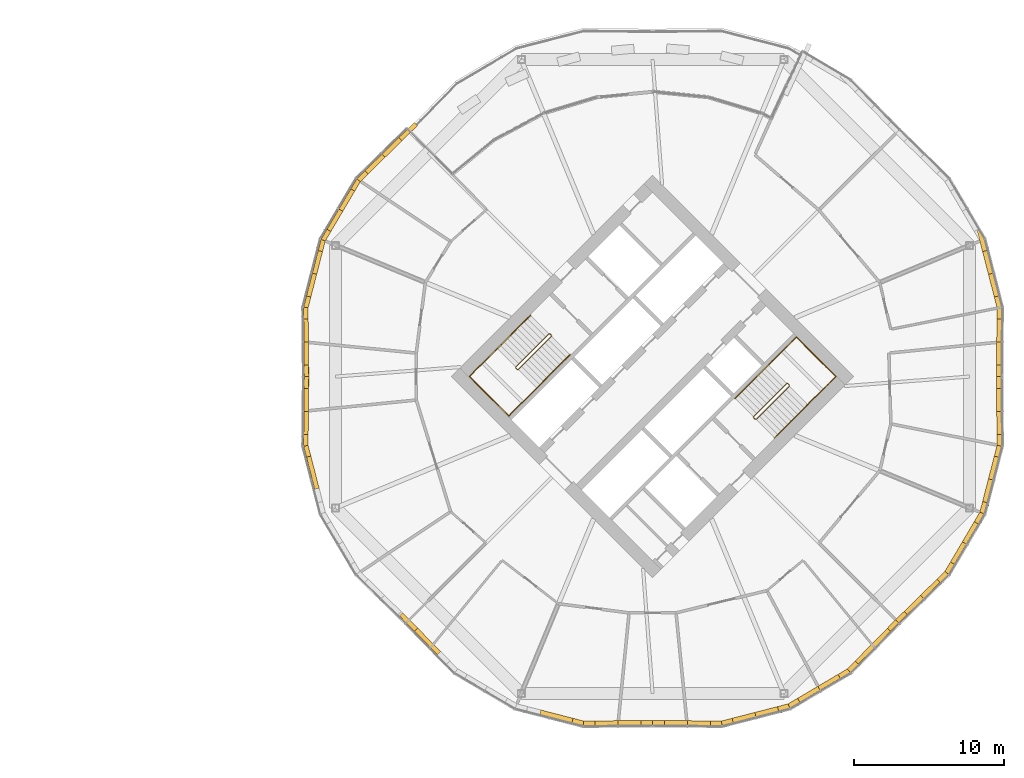
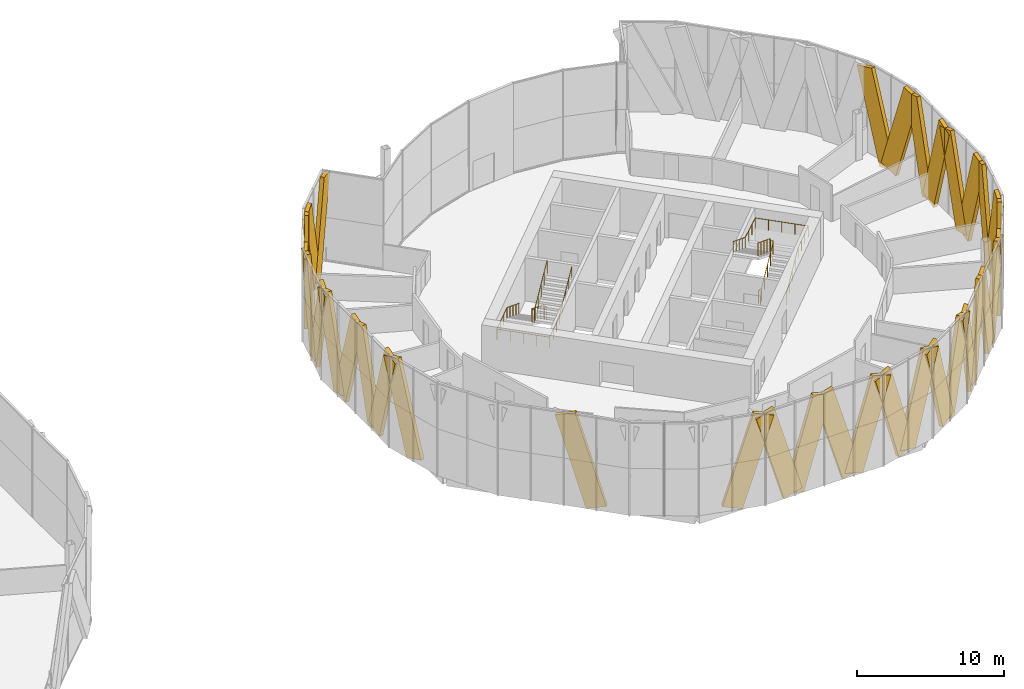
# One storey, part 29 of 31: 35 coverings, 4 railings.
"""IFC4 building model written with IfcOpenShell, lengths in metres."""

from ifc_helpers import new_model, si_unit, direction, frame, origin, origin_2d, place, context, subcontext, project, spatial, rectangle, circle, extrude, material, material_profile, profile_set, type_object, element, save


model = new_model("IFC4")

# Units and contexts
model_context = context("Model", 3, precision=1e-05, world=origin(), true_north=direction((0.0, 1.0)))
body_context = subcontext(model_context, "Body", "Model", "MODEL_VIEW")
ifc_project = project(units=[si_unit("LENGTHUNIT", "METRE"), si_unit("AREAUNIT", "SQUARE_METRE"), si_unit("VOLUMEUNIT", "CUBIC_METRE"), si_unit("PLANEANGLEUNIT", "RADIAN"), si_unit("MASSUNIT", "GRAM", prefix="KILO")], contexts=[model_context])

# Site, building, storey
site_placement = place(None, origin())
site = spatial("IfcSite", under=ifc_project, at=site_placement, CompositionType="ELEMENT")
building_placement = place(site_placement, origin())
building = spatial("IfcBuilding", under=site, at=building_placement, Name="Ogive Gate Towers", CompositionType="ELEMENT")
storey_placement = place(building_placement, frame((0.0, 0.0, 63.60009765625)))
storey = spatial("IfcBuildingStorey", under=building, at=storey_placement, Name="L14", CompositionType="ELEMENT", Elevation=63.60009765625)

# Coverings
ifc_material_1 = material(Name="Pale metal aluminium", Category="aluminium")
ifc_material_profile = material_profile(ifc_material_1, rectangle(XDim=0.300048828125, YDim=1.5, at=origin_2d()), Name="1500 x 300 pale metal aluminium")
ifc_profile_set = profile_set([ifc_material_profile], Name="Pale metal aluminium")
covering_type = type_object("IfcCoveringType", Name="Facade fin 1500 x 300", PredefinedType="CLADDING", material=ifc_profile_set)
for number, where, z_axis, x_axis, name in (
    (1, (58.54931640625, 6.924072265625, -0.1337890625), (-0.071899240348, 0.279315539621, 0.957503696371), (-0.968429977882, -0.249285735531, 0.0), "Facade fin"),
    (2, (58.581787109375, 6.7978515625, -0.1337890625), (0.071899240348, -0.279315539621, 0.957503696371), (0.968429977882, 0.249285735531, 0.0), "Facade fin"),
):
    element("IfcCovering", number, at=place(storey_placement, frame(where, z_axis=z_axis, x_axis=x_axis)), inside=storey, type_object=covering_type, Name=name, PredefinedType="CLADDING", context=body_context, shape_type="SweptSolid", body=[
        extrude(rectangle(XDim=0.300048828125, YDim=1.5, at=origin_2d()), origin(), (0.0, 0.0, 1.0), 7.6943359375),
    ])
for number, where, z_axis, x_axis, name in (
    (3, (59.122802734375, 2.384521484375, -0.136474609375), (0.002729772113, 0.284975512026, 0.958530910242), (-0.999954124816, 0.009578531381, 0.0), "Facade fin"),
    (4, (59.12158203125, 2.25732421875, -0.136474609375), (-0.002729796805, -0.284946347857, 0.958539580326), (0.999954114596, -0.009579598291, 0.0), "Facade fin"),
    (5, (12.87841796875, 2.25732421875, -0.136474609375), (0.002729796805, -0.284946347857, 0.958539580326), (0.999954114596, 0.009579598291, 0.0), "Facade fin"),
    (6, (12.877197265625, 2.384521484375, -0.136474609375), (-0.002729772113, 0.284975512026, 0.958530910242), (-0.999954124816, -0.009578531381, 0.0), "Facade fin"),
):
    element("IfcCovering", number, at=place(storey_placement, frame(where, z_axis=z_axis, x_axis=x_axis)), inside=storey, type_object=covering_type, Name=name, PredefinedType="CLADDING", context=body_context, shape_type="SweptSolid", body=[
        extrude(rectangle(XDim=0.300048828125, YDim=1.5, at=origin_2d()), origin(), (0.0, 0.0, 1.0), 7.69140625),
    ])
for number, where, z_axis, x_axis, name in (
    (7, (13.418212890625, 6.7978515625, -0.1337890625), (-0.071899240348, -0.279315539621, 0.957503696371), (0.968429977882, -0.249285735531, 0.0), "Facade fin"),
    (8, (13.45068359375, 6.924072265625, -0.1337890625), (0.071899240348, 0.279315539621, 0.957503696371), (-0.968429977882, 0.249285735531, 0.0), "Facade fin"),
    (9, (15.1591796875, 11.048828125, -0.1337890625), (-0.146654346537, -0.248347808383, 0.957505022814), (0.86107323281, -0.508480961038, 0.0), "Facade fin"),
    (10, (15.2255859375, 11.160888671875, -0.1337890625), (0.146654346537, 0.248347808383, 0.957505022814), (-0.86107323281, 0.508480961038, 0.0), "Facade fin"),
):
    element("IfcCovering", number, at=place(storey_placement, frame(where, z_axis=z_axis, x_axis=x_axis)), inside=storey, type_object=covering_type, Name=name, PredefinedType="CLADDING", context=body_context, shape_type="SweptSolid", body=[
        extrude(rectangle(XDim=0.300048828125, YDim=1.5, at=origin_2d()), origin(), (0.0, 0.0, 1.0), 7.6943359375),
    ])
for number, where, z_axis, x_axis, name in (
    (11, (17.997314453125, 14.697509765625, -0.132080078125), (-0.207463002026, -0.203529452752, 0.956835860873), (0.700307090797, -0.713841704147, 0.0), "Facade fin"),
    (12, (18.091796875, 14.7900390625, -0.132080078125), (0.207463002026, 0.203529452752, 0.956835860873), (-0.700307090797, 0.713841704147, 0.0), "Facade fin"),
):
    element("IfcCovering", number, at=place(storey_placement, frame(where, z_axis=z_axis, x_axis=x_axis)), inside=storey, type_object=covering_type, Name=name, PredefinedType="CLADDING", context=body_context, shape_type="SweptSolid", body=[
        extrude(rectangle(XDim=0.300048828125, YDim=1.5, at=origin_2d()), origin(), (0.0, 0.0, 1.0), 7.6962890625),
    ])
covering_1_placement = place(storey_placement, frame((13.418212890625, -6.7978515625, -0.1337890625), z_axis=(-0.071899240348, 0.279315539621, 0.957503696371), x_axis=(-0.968429977882, -0.249285735531, 0.0)))
element("IfcCovering", 13, at=covering_1_placement, inside=storey, type_object=covering_type, Name="Facade fin", PredefinedType="CLADDING", context=body_context, shape_type="SweptSolid", body=[
    extrude(rectangle(XDim=0.300048828125, YDim=1.5, at=origin_2d()), origin(), (0.0, 0.0, 1.0), 7.6943359375),
])
for number, where, z_axis, x_axis, name in (
    (14, (12.877197265625, -2.384521484375, -0.136474609375), (-0.002729772113, -0.284975512026, 0.958530910242), (0.999954124816, -0.009578531381, 0.0), "Facade fin"),
    (15, (12.87841796875, -2.25732421875, -0.136474609375), (0.002729796805, 0.284946347857, 0.958539580326), (-0.999954114596, 0.009579598291, 0.0), "Facade fin"),
    (16, (33.74267578125, -23.12158203125, -0.136474609375), (0.284946347857, 0.002729796805, 0.958539580326), (-0.009579598291, 0.999954114596, 0.0), "Facade fin"),
    (17, (33.615478515625, -23.122802734375, -0.136474609375), (-0.284975512026, -0.002729772113, 0.958530910242), (0.009578531381, -0.999954124816, 0.0), "Facade fin"),
):
    element("IfcCovering", number, at=place(storey_placement, frame(where, z_axis=z_axis, x_axis=x_axis)), inside=storey, type_object=covering_type, Name=name, PredefinedType="CLADDING", context=body_context, shape_type="SweptSolid", body=[
        extrude(rectangle(XDim=0.300048828125, YDim=1.5, at=origin_2d()), origin(), (0.0, 0.0, 1.0), 7.69140625),
    ])
covering_2_placement = place(storey_placement, frame((29.2021484375, -22.581787109375, -0.1337890625), z_axis=(0.279315539621, -0.071899240348, 0.957503696371), x_axis=(0.249285735531, 0.968429977882, 0.0)))
element("IfcCovering", 18, at=covering_2_placement, inside=storey, type_object=covering_type, Name="Facade fin", PredefinedType="CLADDING", context=body_context, shape_type="SweptSolid", body=[
    extrude(rectangle(XDim=0.300048828125, YDim=1.5, at=origin_2d()), origin(), (0.0, 0.0, 1.0), 7.6943359375),
])
for number, where, z_axis, x_axis, name in (
    (19, (21.24658203125, -17.94580078125, -0.136474609375), (-0.199560066539, 0.203432553912, 0.958535850061), (-0.713868642354, -0.700279630907, 0.0), "Facade fin"),
    (20, (50.75341796875, -17.94580078125, -0.136474609375), (0.199560066539, 0.203432553912, 0.958535850061), (-0.713868642354, 0.700279630907, 0.0), "Facade fin"),
):
    element("IfcCovering", number, at=place(storey_placement, frame(where, z_axis=z_axis, x_axis=x_axis)), inside=storey, type_object=covering_type, Name=name, PredefinedType="CLADDING", context=body_context, shape_type="SweptSolid", body=[
        extrude(rectangle(XDim=0.300048828125, YDim=1.5, at=origin_2d()), origin(), (0.0, 0.0, 1.0), 7.69140625),
    ])
covering_3_placement = place(storey_placement, frame((50.664306640625, -18.036376953125, -0.136474609375), z_axis=(-0.199558777832, -0.203462981693, 0.958529660089), x_axis=(0.713923258271, -0.700223950819, 0.0)))
element("IfcCovering", 21, at=covering_3_placement, inside=storey, type_object=covering_type, Name="Facade fin", PredefinedType="CLADDING", context=body_context, shape_type="SweptSolid", body=[
    extrude(rectangle(XDim=0.300048828125, YDim=1.5, at=origin_2d()), origin(), (0.0, 0.0, 1.0), 7.691650390625),
])
for number, where, z_axis, x_axis, name in (
    (22, (47.160888671875, -20.7744140625, -0.1337890625), (0.248347808383, 0.146654346537, 0.957505022814), (-0.508480961038, 0.86107323281, 0.0), "Facade fin"),
    (23, (47.048828125, -20.8408203125, -0.1337890625), (-0.248347808383, -0.146654346537, 0.957505022814), (0.508480961038, -0.86107323281, 0.0), "Facade fin"),
    (24, (42.924072265625, -22.54931640625, -0.1337890625), (0.279315539621, 0.071899240348, 0.957503696371), (-0.249285735531, 0.968429977882, 0.0), "Facade fin"),
    (25, (42.7978515625, -22.581787109375, -0.1337890625), (-0.279315539621, -0.071899240348, 0.957503696371), (0.249285735531, -0.968429977882, 0.0), "Facade fin"),
):
    element("IfcCovering", number, at=place(storey_placement, frame(where, z_axis=z_axis, x_axis=x_axis)), inside=storey, type_object=covering_type, Name=name, PredefinedType="CLADDING", context=body_context, shape_type="SweptSolid", body=[
        extrude(rectangle(XDim=0.300048828125, YDim=1.5, at=origin_2d()), origin(), (0.0, 0.0, 1.0), 7.6943359375),
    ])
for number, where, z_axis, x_axis, name in (
    (26, (38.384521484375, -23.122802734375, -0.136474609375), (0.284975512026, -0.002729772113, 0.958530910242), (0.009578531381, 0.999954124816, 0.0), "Facade fin"),
    (27, (38.25732421875, -23.12158203125, -0.136474609375), (-0.284946347857, 0.002729796805, 0.958539580326), (-0.009579598291, -0.999954114596, 0.0), "Facade fin"),
    (28, (59.12158203125, -2.25732421875, -0.136474609375), (-0.002729796805, 0.284946347857, 0.958539580326), (-0.999954114596, -0.009579598291, 0.0), "Facade fin"),
    (29, (59.122802734375, -2.384521484375, -0.136474609375), (0.002729772113, -0.284975512026, 0.958530910242), (0.999954124816, 0.009578531381, 0.0), "Facade fin"),
):
    element("IfcCovering", number, at=place(storey_placement, frame(where, z_axis=z_axis, x_axis=x_axis)), inside=storey, type_object=covering_type, Name=name, PredefinedType="CLADDING", context=body_context, shape_type="SweptSolid", body=[
        extrude(rectangle(XDim=0.300048828125, YDim=1.5, at=origin_2d()), origin(), (0.0, 0.0, 1.0), 7.69140625),
    ])
for number, where, z_axis, x_axis, name in (
    (30, (58.581787109375, -6.7978515625, -0.1337890625), (0.071899240348, 0.279315539621, 0.957503696371), (-0.968429977882, 0.249285735531, 0.0), "Facade fin"),
    (31, (58.54931640625, -6.924072265625, -0.1337890625), (-0.071899240348, -0.279315539621, 0.957503696371), (0.968429977882, -0.249285735531, 0.0), "Facade fin"),
    (32, (56.8408203125, -11.048828125, -0.1337890625), (0.146654346537, 0.248347808383, 0.957505022814), (-0.86107323281, 0.508480961038, 0.0), "Facade fin"),
    (33, (56.7744140625, -11.160888671875, -0.1337890625), (-0.146654346537, -0.248347808383, 0.957505022814), (0.86107323281, -0.508480961038, 0.0), "Facade fin"),
):
    element("IfcCovering", number, at=place(storey_placement, frame(where, z_axis=z_axis, x_axis=x_axis)), inside=storey, type_object=covering_type, Name=name, PredefinedType="CLADDING", context=body_context, shape_type="SweptSolid", body=[
        extrude(rectangle(XDim=0.300048828125, YDim=1.5, at=origin_2d()), origin(), (0.0, 0.0, 1.0), 7.6943359375),
    ])
covering_4_placement = place(storey_placement, frame((54.036376953125, -14.664306640625, -0.136474609375), z_axis=(0.203462981693, 0.199558777832, 0.958529660089), x_axis=(-0.700223950819, 0.713923258271, 0.0)))
element("IfcCovering", 34, at=covering_4_placement, inside=storey, type_object=covering_type, Name="Facade fin", PredefinedType="CLADDING", context=body_context, shape_type="SweptSolid", body=[
    extrude(rectangle(XDim=0.300048828125, YDim=1.5, at=origin_2d()), origin(), (0.0, 0.0, 1.0), 7.691650390625),
])
covering_5_placement = place(storey_placement, frame((53.94580078125, -14.75341796875, -0.136474609375), z_axis=(-0.203432553912, -0.199560066539, 0.958535850061), x_axis=(0.700279630907, -0.713868642354, 0.0)))
element("IfcCovering", 35, at=covering_5_placement, inside=storey, type_object=covering_type, Name="Facade fin", PredefinedType="CLADDING", context=body_context, shape_type="SweptSolid", body=[
    extrude(rectangle(XDim=0.300048828125, YDim=1.5, at=origin_2d()), origin(), (0.0, 0.0, 1.0), 7.69140625),
])

# Railings
ifc_material_2 = material(Name="Stainless steel", Category="steel")
railing_type_1 = type_object("IfcRailingType", Name="Stair guard 1100", PredefinedType="GUARDRAIL", material=ifc_material_2)
railing_1_placement = place(storey_placement, frame((29.15869140625, 2.8603515625, 0.0)))
element("IfcRailing", 36, at=railing_1_placement, inside=storey, type_object=railing_type_1, Name="L14 ST1 stair guard 1", PredefinedType="GUARDRAIL", context=body_context, shape_type="SweptSolid", body=[
    extrude(circle(Radius=0.02392578125, at=origin_2d()), frame((0.0, 0.0, 1.076171875), z_axis=(0.707106781187, -0.707106781187, 0.0), x_axis=(0.707106781187, 0.707106781187, 0.0)), (0.0, 0.0, 1.0), 0.14501953125),
    extrude(circle(Radius=0.02392578125, at=origin_2d()), frame((0.1025390625, -0.1025390625, 1.076171875), z_axis=(-0.645571447971, 0.382425963537, 0.661050594114), x_axis=(-0.509669330572, -0.860370369942, 0.0)), (0.0, 0.0, 1.0), 0.26806640625),
    extrude(circle(Radius=0.02392578125, at=origin_2d()), frame((-0.070556640625, 0.0, 1.25341796875), z_axis=(-0.61558473135, -0.61558473135, 0.49204763698), x_axis=(0.707106781187, -0.707106781187, 0.0)), (0.0, 0.0, 1.0), 3.602783203125),
    extrude(circle(Radius=0.02392578125, at=origin_2d()), frame((-2.288330078125, -2.2177734375, 3.02587890625), z_axis=(0.0, -1.0, 0.0), x_axis=(1.0, 0.0, 0.0)), (0.0, 0.0, 1.0), 0.07080078125),
    extrude(circle(Radius=0.02392578125, at=origin_2d()), frame((-2.288330078125, -2.28857421875, 3.02587890625), z_axis=(0.707106781187, -0.707106781187, 0.0), x_axis=(0.707106781187, 0.707106781187, 0.0)), (0.0, 0.0, 1.0), 0.14501953125),
    extrude(circle(Radius=0.02392578125, at=origin_2d()), frame((-2.185791015625, -2.39111328125, 3.02587890625), z_axis=(0.369845645421, 0.0, 0.929093213065), x_axis=(0.0, 1.0, 0.0)), (0.0, 0.0, 1.0), 0.190673828125),
    extrude(circle(Radius=0.02392578125, at=origin_2d()), frame((-2.115234375, -2.39111328125, 3.203125), z_axis=(0.61558473135, 0.61558473135, 0.49204763698), x_axis=(-0.707106781187, 0.707106781187, 0.0)), (0.0, 0.0, 1.0), 3.602783203125),
    extrude(circle(Radius=0.02099609375, at=origin_2d()), origin(), (0.0, 0.0, 1.0), 1.052001953125),
    extrude(circle(Radius=0.02099609375, at=origin_2d()), frame((0.1025390625, -0.1025390625, 0.0)), (0.0, 0.0, 1.0), 1.052001953125),
    extrude(circle(Radius=0.02099609375, at=origin_2d()), frame((-0.070556640625, 0.0, 0.17724609375)), (0.0, 0.0, 1.0), 1.052001953125),
    extrude(circle(Radius=0.02099609375, at=origin_2d()), frame((-0.625, -0.554443359375, 0.620361328125)), (0.0, 0.0, 1.0), 1.052001953125),
    extrude(circle(Radius=0.02099609375, at=origin_2d()), frame((-1.179443359375, -1.10888671875, 1.0634765625)), (0.0, 0.0, 1.0), 1.052001953125),
    extrude(circle(Radius=0.02099609375, at=origin_2d()), frame((-1.73388671875, -1.663330078125, 1.5068359375)), (0.0, 0.0, 1.0), 1.052001953125),
    extrude(circle(Radius=0.02099609375, at=origin_2d()), frame((-2.288330078125, -2.2177734375, 1.949951171875)), (0.0, 0.0, 1.0), 1.052001953125),
    extrude(circle(Radius=0.02099609375, at=origin_2d()), frame((-2.288330078125, -2.28857421875, 1.949951171875)), (0.0, 0.0, 1.0), 1.052001953125),
    extrude(circle(Radius=0.02099609375, at=origin_2d()), frame((-2.185791015625, -2.39111328125, 1.949951171875)), (0.0, 0.0, 1.0), 1.052001953125),
    extrude(circle(Radius=0.02099609375, at=origin_2d()), frame((-2.115234375, -2.39111328125, 2.127197265625)), (0.0, 0.0, 1.0), 1.052001953125),
    extrude(circle(Radius=0.02099609375, at=origin_2d()), frame((-1.560791015625, -1.836669921875, 2.5703125)), (0.0, 0.0, 1.0), 1.052001953125),
    extrude(circle(Radius=0.02099609375, at=origin_2d()), frame((-1.00634765625, -1.2822265625, 3.013671875)), (0.0, 0.0, 1.0), 1.052001953125),
    extrude(circle(Radius=0.02099609375, at=origin_2d()), frame((-0.451904296875, -0.727783203125, 3.456787109375)), (0.0, 0.0, 1.0), 1.052001953125),
    extrude(circle(Radius=0.02099609375, at=origin_2d()), frame((0.1025390625, -0.17333984375, 3.89990234375)), (0.0, 0.0, 1.0), 1.052001953125),
])
railing_2_placement = place(storey_placement, frame((42.84130859375, -2.8603515625, 0.0)))
element("IfcRailing", 37, at=railing_2_placement, inside=storey, type_object=railing_type_1, Name="L14 ST2 stair guard 1", PredefinedType="GUARDRAIL", context=body_context, shape_type="SweptSolid", body=[
    extrude(circle(Radius=0.02392578125, at=origin_2d()), frame((0.0, 0.0, 1.076171875), z_axis=(-0.707106781187, 0.707106781187, 0.0), x_axis=(-0.707106781187, -0.707106781187, 0.0)), (0.0, 0.0, 1.0), 0.14501953125),
    extrude(circle(Radius=0.02392578125, at=origin_2d()), frame((-0.1025390625, 0.1025390625, 1.076171875), z_axis=(0.645571447971, -0.382425963537, 0.661050594114), x_axis=(0.509669330572, 0.860370369942, 0.0)), (0.0, 0.0, 1.0), 0.26806640625),
    extrude(circle(Radius=0.02392578125, at=origin_2d()), frame((0.070556640625, 0.0, 1.25341796875), z_axis=(0.61558473135, 0.61558473135, 0.49204763698), x_axis=(-0.707106781187, 0.707106781187, 0.0)), (0.0, 0.0, 1.0), 3.602783203125),
    extrude(circle(Radius=0.02392578125, at=origin_2d()), frame((2.288330078125, 2.2177734375, 3.02587890625), z_axis=(0.0, 1.0, 0.0), x_axis=(-1.0, 0.0, 0.0)), (0.0, 0.0, 1.0), 0.07080078125),
    extrude(circle(Radius=0.02392578125, at=origin_2d()), frame((2.288330078125, 2.28857421875, 3.02587890625), z_axis=(-0.707106781187, 0.707106781187, 0.0), x_axis=(-0.707106781187, -0.707106781187, 0.0)), (0.0, 0.0, 1.0), 0.14501953125),
    extrude(circle(Radius=0.02392578125, at=origin_2d()), frame((2.185791015625, 2.39111328125, 3.02587890625), z_axis=(-0.369845645421, 0.0, 0.929093213065), x_axis=(0.0, -1.0, 0.0)), (0.0, 0.0, 1.0), 0.190673828125),
    extrude(circle(Radius=0.02392578125, at=origin_2d()), frame((2.115234375, 2.39111328125, 3.203125), z_axis=(-0.61558473135, -0.61558473135, 0.49204763698), x_axis=(0.707106781187, -0.707106781187, 0.0)), (0.0, 0.0, 1.0), 3.602783203125),
    extrude(circle(Radius=0.02099609375, at=origin_2d()), origin(), (0.0, 0.0, 1.0), 1.052001953125),
    extrude(circle(Radius=0.02099609375, at=origin_2d()), frame((-0.1025390625, 0.1025390625, 0.0)), (0.0, 0.0, 1.0), 1.052001953125),
    extrude(circle(Radius=0.02099609375, at=origin_2d()), frame((0.070556640625, 0.0, 0.17724609375)), (0.0, 0.0, 1.0), 1.052001953125),
    extrude(circle(Radius=0.02099609375, at=origin_2d()), frame((0.625, 0.554443359375, 0.620361328125)), (0.0, 0.0, 1.0), 1.052001953125),
    extrude(circle(Radius=0.02099609375, at=origin_2d()), frame((1.179443359375, 1.10888671875, 1.0634765625)), (0.0, 0.0, 1.0), 1.052001953125),
    extrude(circle(Radius=0.02099609375, at=origin_2d()), frame((1.73388671875, 1.663330078125, 1.5068359375)), (0.0, 0.0, 1.0), 1.052001953125),
    extrude(circle(Radius=0.02099609375, at=origin_2d()), frame((2.288330078125, 2.2177734375, 1.949951171875)), (0.0, 0.0, 1.0), 1.052001953125),
    extrude(circle(Radius=0.02099609375, at=origin_2d()), frame((2.288330078125, 2.28857421875, 1.949951171875)), (0.0, 0.0, 1.0), 1.052001953125),
    extrude(circle(Radius=0.02099609375, at=origin_2d()), frame((2.185791015625, 2.39111328125, 1.949951171875)), (0.0, 0.0, 1.0), 1.052001953125),
    extrude(circle(Radius=0.02099609375, at=origin_2d()), frame((2.115234375, 2.39111328125, 2.127197265625)), (0.0, 0.0, 1.0), 1.052001953125),
    extrude(circle(Radius=0.02099609375, at=origin_2d()), frame((1.560791015625, 1.836669921875, 2.5703125)), (0.0, 0.0, 1.0), 1.052001953125),
    extrude(circle(Radius=0.02099609375, at=origin_2d()), frame((1.00634765625, 1.2822265625, 3.013671875)), (0.0, 0.0, 1.0), 1.052001953125),
    extrude(circle(Radius=0.02099609375, at=origin_2d()), frame((0.451904296875, 0.727783203125, 3.456787109375)), (0.0, 0.0, 1.0), 1.052001953125),
    extrude(circle(Radius=0.02099609375, at=origin_2d()), frame((-0.1025390625, 0.17333984375, 3.89990234375)), (0.0, 0.0, 1.0), 1.052001953125),
])
railing_type_2 = type_object("IfcRailingType", Name="Stair handrail 900", PredefinedType="HANDRAIL", material=ifc_material_2)
railing_3_placement = place(storey_placement, frame((27.857666015625, 4.090576171875, 0.17724609375)))
element("IfcRailing", 38, at=railing_3_placement, inside=storey, type_object=railing_type_2, Name="L14 ST1 stair handrail 1", PredefinedType="HANDRAIL", context=body_context, shape_type="SweptSolid", body=[
    extrude(circle(Radius=0.02392578125, at=origin_2d()), frame((0.0, 0.0, 0.8759765625), z_axis=(-0.61558473135, -0.61558473135, 0.49204763698), x_axis=(0.707106781187, -0.707106781187, 0.0)), (0.0, 0.0, 1.0), 3.602783203125),
    extrude(circle(Radius=0.02392578125, at=origin_2d()), frame((-2.2177734375, -2.2177734375, 2.6484375), z_axis=(-0.707106781187, -0.707106781187, 0.0), x_axis=(0.707106781187, -0.707106781187, 0.0)), (0.0, 0.0, 1.0), 2.6484375),
    extrude(circle(Radius=0.02392578125, at=origin_2d()), frame((-4.090576171875, -4.090576171875, 2.6484375), z_axis=(0.707106781187, -0.707106781187, 0.0), x_axis=(0.707106781187, 0.707106781187, 0.0)), (0.0, 0.0, 1.0), 3.72509765625),
    extrude(circle(Radius=0.02392578125, at=origin_2d()), frame((-1.45654296875, -6.724609375, 2.6484375), z_axis=(0.705482886452, 0.705574853978, 0.066768423356), x_axis=(-0.70715286629, 0.70706069308, 0.0)), (0.0, 0.0, 1.0), 2.654541015625),
    extrude(circle(Radius=0.02392578125, at=origin_2d()), frame((0.416259765625, -4.8515625, 2.82568359375), z_axis=(0.615610411033, 0.615542642384, 0.4920681632), x_axis=(-0.70706785752, 0.70714570271, 0.0)), (0.0, 0.0, 1.0), 3.6025390625),
    extrude(circle(Radius=0.02099609375, at=origin_2d()), origin(), (0.0, 0.0, 1.0), 0.851806640625),
    extrude(circle(Radius=0.02099609375, at=origin_2d()), frame((-0.554443359375, -0.554443359375, 0.443115234375)), (0.0, 0.0, 1.0), 0.851806640625),
    extrude(circle(Radius=0.02099609375, at=origin_2d()), frame((-1.10888671875, -1.10888671875, 0.88623046875)), (0.0, 0.0, 1.0), 0.851806640625),
    extrude(circle(Radius=0.02099609375, at=origin_2d()), frame((-1.663330078125, -1.663330078125, 1.32958984375)), (0.0, 0.0, 1.0), 0.851806640625),
    extrude(circle(Radius=0.02099609375, at=origin_2d()), frame((-2.2177734375, -2.2177734375, 1.772705078125)), (0.0, 0.0, 1.0), 0.851806640625),
    extrude(circle(Radius=0.02099609375, at=origin_2d()), frame((-2.842041015625, -2.842041015625, 1.772705078125)), (0.0, 0.0, 1.0), 0.851806640625),
    extrude(circle(Radius=0.02099609375, at=origin_2d()), frame((-3.46630859375, -3.46630859375, 1.772705078125)), (0.0, 0.0, 1.0), 0.851806640625),
    extrude(circle(Radius=0.02099609375, at=origin_2d()), frame((-4.090576171875, -4.090576171875, 1.772705078125)), (0.0, 0.0, 1.0), 0.851806640625),
    extrude(circle(Radius=0.02099609375, at=origin_2d()), frame((-3.43212890625, -4.7490234375, 1.772705078125)), (0.0, 0.0, 1.0), 0.851806640625),
    extrude(circle(Radius=0.02099609375, at=origin_2d()), frame((-2.7734375, -5.40771484375, 1.772705078125)), (0.0, 0.0, 1.0), 0.851806640625),
    extrude(circle(Radius=0.02099609375, at=origin_2d()), frame((-2.114990234375, -6.066162109375, 1.772705078125)), (0.0, 0.0, 1.0), 0.851806640625),
    extrude(circle(Radius=0.02099609375, at=origin_2d()), frame((-1.45654296875, -6.724609375, 1.772705078125)), (0.0, 0.0, 1.0), 0.851806640625),
    extrude(circle(Radius=0.02099609375, at=origin_2d()), frame((-0.832275390625, -6.100341796875, 1.831787109375)), (0.0, 0.0, 1.0), 0.851806640625),
    extrude(circle(Radius=0.02099609375, at=origin_2d()), frame((-0.2080078125, -5.475830078125, 1.890869140625)), (0.0, 0.0, 1.0), 0.851806640625),
    extrude(circle(Radius=0.02099609375, at=origin_2d()), frame((0.416259765625, -4.8515625, 1.949951171875)), (0.0, 0.0, 1.0), 0.851806640625),
    extrude(circle(Radius=0.02099609375, at=origin_2d()), frame((0.970703125, -4.297119140625, 2.39306640625)), (0.0, 0.0, 1.0), 0.851806640625),
    extrude(circle(Radius=0.02099609375, at=origin_2d()), frame((1.525146484375, -3.74267578125, 2.83642578125)), (0.0, 0.0, 1.0), 0.851806640625),
    extrude(circle(Radius=0.02099609375, at=origin_2d()), frame((2.07958984375, -3.1884765625, 3.279541015625)), (0.0, 0.0, 1.0), 0.851806640625),
    extrude(circle(Radius=0.02099609375, at=origin_2d()), frame((2.634033203125, -2.634033203125, 3.72265625)), (0.0, 0.0, 1.0), 0.851806640625),
])
railing_4_placement = place(storey_placement, frame((44.142333984375, -4.090576171875, 0.17724609375)))
element("IfcRailing", 39, at=railing_4_placement, inside=storey, type_object=railing_type_2, Name="L14 ST2 stair handrail 1", PredefinedType="HANDRAIL", context=body_context, shape_type="SweptSolid", body=[
    extrude(circle(Radius=0.02392578125, at=origin_2d()), frame((0.0, 0.0, 0.8759765625), z_axis=(0.61558473135, 0.61558473135, 0.49204763698), x_axis=(-0.707106781187, 0.707106781187, 0.0)), (0.0, 0.0, 1.0), 3.602783203125),
    extrude(circle(Radius=0.02392578125, at=origin_2d()), frame((2.2177734375, 2.2177734375, 2.6484375), z_axis=(0.707106781187, 0.707106781187, 0.0), x_axis=(-0.707106781187, 0.707106781187, 0.0)), (0.0, 0.0, 1.0), 2.6484375),
    extrude(circle(Radius=0.02392578125, at=origin_2d()), frame((4.090576171875, 4.090576171875, 2.6484375), z_axis=(-0.707106781187, 0.707106781187, 0.0), x_axis=(-0.707106781187, -0.707106781187, 0.0)), (0.0, 0.0, 1.0), 3.72509765625),
    extrude(circle(Radius=0.02392578125, at=origin_2d()), frame((1.45654296875, 6.724609375, 2.6484375), z_axis=(-0.705482886452, -0.705574853978, 0.066768423356), x_axis=(0.70715286629, -0.70706069308, 0.0)), (0.0, 0.0, 1.0), 2.654541015625),
    extrude(circle(Radius=0.02392578125, at=origin_2d()), frame((-0.416259765625, 4.8515625, 2.82568359375), z_axis=(-0.615610411033, -0.615542642384, 0.4920681632), x_axis=(0.70706785752, -0.70714570271, 0.0)), (0.0, 0.0, 1.0), 3.6025390625),
    extrude(circle(Radius=0.02099609375, at=origin_2d()), origin(), (0.0, 0.0, 1.0), 0.851806640625),
    extrude(circle(Radius=0.02099609375, at=origin_2d()), frame((0.554443359375, 0.554443359375, 0.443115234375)), (0.0, 0.0, 1.0), 0.851806640625),
    extrude(circle(Radius=0.02099609375, at=origin_2d()), frame((1.10888671875, 1.10888671875, 0.88623046875)), (0.0, 0.0, 1.0), 0.851806640625),
    extrude(circle(Radius=0.02099609375, at=origin_2d()), frame((1.663330078125, 1.663330078125, 1.32958984375)), (0.0, 0.0, 1.0), 0.851806640625),
    extrude(circle(Radius=0.02099609375, at=origin_2d()), frame((2.2177734375, 2.2177734375, 1.772705078125)), (0.0, 0.0, 1.0), 0.851806640625),
    extrude(circle(Radius=0.02099609375, at=origin_2d()), frame((2.842041015625, 2.842041015625, 1.772705078125)), (0.0, 0.0, 1.0), 0.851806640625),
    extrude(circle(Radius=0.02099609375, at=origin_2d()), frame((3.46630859375, 3.46630859375, 1.772705078125)), (0.0, 0.0, 1.0), 0.851806640625),
    extrude(circle(Radius=0.02099609375, at=origin_2d()), frame((4.090576171875, 4.090576171875, 1.772705078125)), (0.0, 0.0, 1.0), 0.851806640625),
    extrude(circle(Radius=0.02099609375, at=origin_2d()), frame((3.43212890625, 4.7490234375, 1.772705078125)), (0.0, 0.0, 1.0), 0.851806640625),
    extrude(circle(Radius=0.02099609375, at=origin_2d()), frame((2.7734375, 5.40771484375, 1.772705078125)), (0.0, 0.0, 1.0), 0.851806640625),
    extrude(circle(Radius=0.02099609375, at=origin_2d()), frame((2.114990234375, 6.066162109375, 1.772705078125)), (0.0, 0.0, 1.0), 0.851806640625),
    extrude(circle(Radius=0.02099609375, at=origin_2d()), frame((1.45654296875, 6.724609375, 1.772705078125)), (0.0, 0.0, 1.0), 0.851806640625),
    extrude(circle(Radius=0.02099609375, at=origin_2d()), frame((0.832275390625, 6.100341796875, 1.831787109375)), (0.0, 0.0, 1.0), 0.851806640625),
    extrude(circle(Radius=0.02099609375, at=origin_2d()), frame((0.2080078125, 5.475830078125, 1.890869140625)), (0.0, 0.0, 1.0), 0.851806640625),
    extrude(circle(Radius=0.02099609375, at=origin_2d()), frame((-0.416259765625, 4.8515625, 1.949951171875)), (0.0, 0.0, 1.0), 0.851806640625),
    extrude(circle(Radius=0.02099609375, at=origin_2d()), frame((-0.970703125, 4.297119140625, 2.39306640625)), (0.0, 0.0, 1.0), 0.851806640625),
    extrude(circle(Radius=0.02099609375, at=origin_2d()), frame((-1.525146484375, 3.74267578125, 2.83642578125)), (0.0, 0.0, 1.0), 0.851806640625),
    extrude(circle(Radius=0.02099609375, at=origin_2d()), frame((-2.07958984375, 3.1884765625, 3.279541015625)), (0.0, 0.0, 1.0), 0.851806640625),
    extrude(circle(Radius=0.02099609375, at=origin_2d()), frame((-2.634033203125, 2.634033203125, 3.72265625)), (0.0, 0.0, 1.0), 0.851806640625),
])

save(model, "model.ifc")
